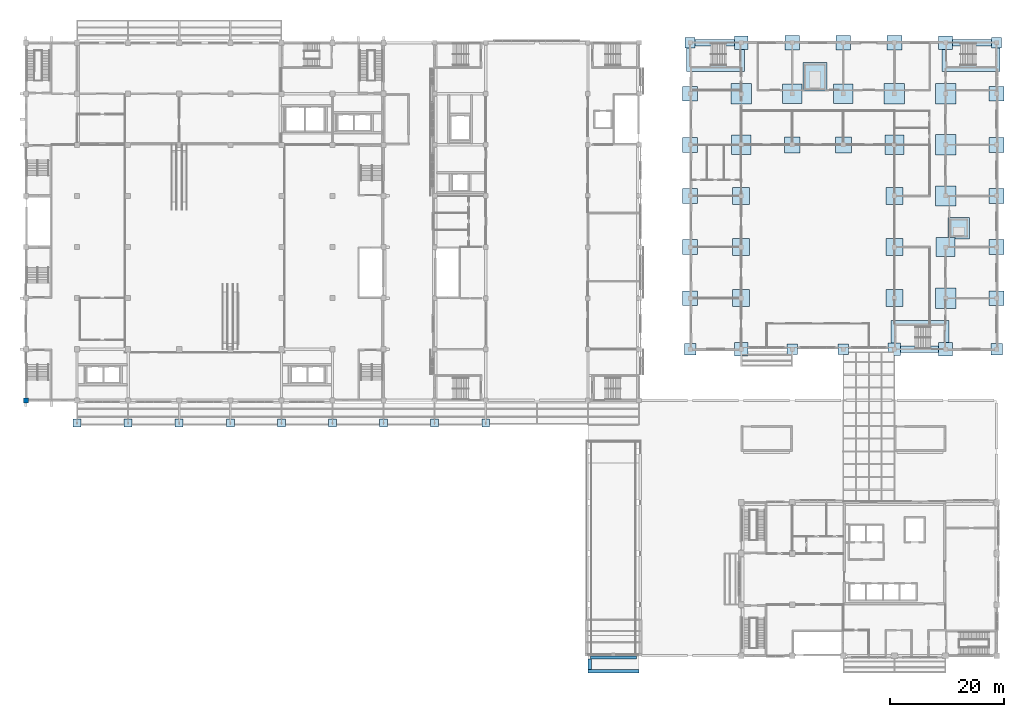
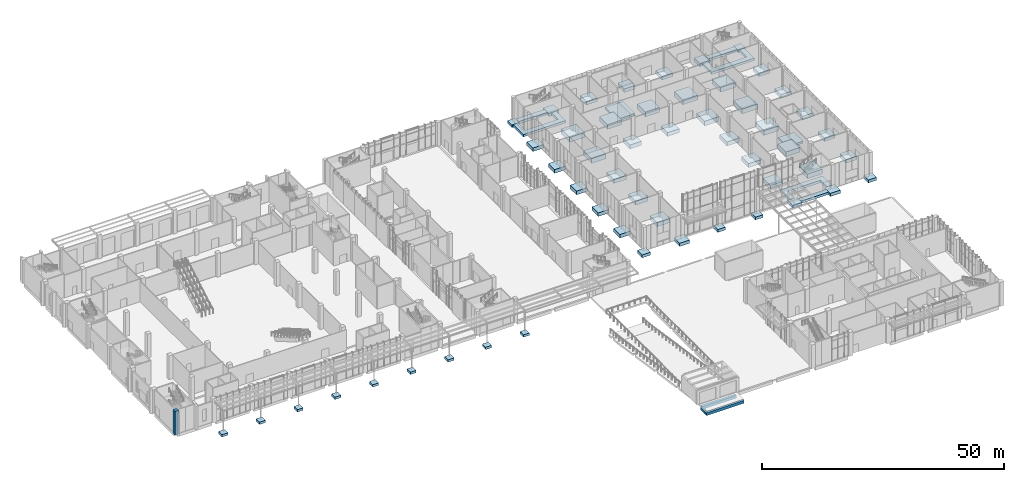
# One storey, part 1 of 86: 63 footings, 1 column.
"""IFC4 building model written with IfcOpenShell, lengths in metres."""

from ifc_helpers import new_model, si_unit, direction, frame, origin, origin_2d, place, context, subcontext, project, spatial, polyline, rectangle, outline, extrude, material, material_profile, profile_set, type_object, element, save


model = new_model("IFC4")

# Units and contexts
model_context = context("Model", 3, precision=1e-05, world=origin(), true_north=direction((0.0, 1.0)))
body_context = subcontext(model_context, "Body", "Model", "MODEL_VIEW")
ifc_project = project(units=[si_unit("LENGTHUNIT", "METRE"), si_unit("AREAUNIT", "SQUARE_METRE"), si_unit("VOLUMEUNIT", "CUBIC_METRE"), si_unit("PLANEANGLEUNIT", "RADIAN"), si_unit("MASSUNIT", "GRAM", prefix="KILO")], contexts=[model_context])

# Site, building, storey
site_placement = place(None, origin())
site = spatial("IfcSite", under=ifc_project, at=site_placement, CompositionType="ELEMENT")
building_placement = place(site_placement, origin())
building = spatial("IfcBuilding", under=site, at=building_placement, Name="Guidao Yard Department Store", CompositionType="ELEMENT")
storey_placement = place(building_placement, origin())
storey = spatial("IfcBuildingStorey", under=building, at=storey_placement, Name="L00", CompositionType="ELEMENT", Elevation=0.0)

# Footings
ifc_material_1 = material(Name="Concrete C40", Category="concrete")
footing_type_1 = type_object("IfcFootingType", Name="Pad footing 1400x1400x600 C40", PredefinedType="PAD_FOOTING", material=ifc_material_1)
for number, where, z_axis, x_axis, name in (
    (1, (9.0, 41.0, -0.900146484375), (0.0, 0.0, 1.0), (1.0, 0.0, 0.0), "Pad footing CP-EC-1"),
    (2, (18.0, 41.0, -0.900146484375), (0.0, 0.0, 1.0), (1.0, 0.0, 0.0), "Pad footing CP-EC-2"),
    (3, (27.0, 41.0, -0.900146484375), (0.0, 0.0, 1.0), (1.0, 0.0, 0.0), "Pad footing CP-EC-3"),
    (4, (36.0, 41.0, -0.900146484375), (0.0, 0.0, 1.0), (1.0, 0.0, 0.0), "Pad footing CP-EC-4"),
    (5, (45.0, 41.0, -0.900146484375), (0.0, 0.0, 1.0), (1.0, 0.0, 0.0), "Pad footing CP-EC-5"),
    (6, (54.0, 41.0, -0.900146484375), (0.0, 0.0, 1.0), (1.0, 0.0, 0.0), "Pad footing CP-EC-6"),
    (7, (63.0, 41.0, -0.900146484375), (0.0, 0.0, 1.0), (1.0, 0.0, 0.0), "Pad footing CP-EC-7"),
    (8, (72.0, 41.0, -0.900146484375), (0.0, 0.0, 1.0), (1.0, 0.0, 0.0), "Pad footing CP-EC-8"),
    (9, (81.0, 41.0, -0.900146484375), (0.0, 0.0, 1.0), (1.0, 0.0, 0.0), "Pad footing CP-EC-9"),
):
    element("IfcFooting", number, at=place(storey_placement, frame(where, z_axis=z_axis, x_axis=x_axis)), inside=storey, type_object=footing_type_1, Name=name, PredefinedType="PAD_FOOTING", context=body_context, shape_type="SweptSolid", body=[
        extrude(rectangle(XDim=1.39990234375, YDim=1.39990234375, at=origin_2d()), origin(), (0.0, 0.0, 1.0), 0.60009765625),
    ])
ifc_material_2 = material(Name="Concrete C40", Category="concrete")
footing_type_2 = type_object("IfcFootingType", Name="Pad footing 1800x1800x700 C40", PredefinedType="PAD_FOOTING", material=ifc_material_2)
for number, where, z_axis, x_axis, name in (
    (10, (135.0, 54.0, -1.0498046875), (0.0, 0.0, 1.0), (1.0, 0.0, 0.0), "Pad footing 16/G"),
    (11, (144.0, 54.0, -1.0498046875), (0.0, 0.0, 1.0), (1.0, 0.0, 0.0), "Pad footing 17/G"),
    (12, (117.0, 108.0, -1.0498046875), (0.0, 0.0, 1.0), (1.0, 0.0, 0.0), "Pad footing 14/N"),
    (13, (171.0, 108.0, -1.0498046875), (0.0, 0.0, 1.0), (1.0, 0.0, 0.0), "Pad footing 20/N"),
):
    element("IfcFooting", number, at=place(storey_placement, frame(where, z_axis=z_axis, x_axis=x_axis)), inside=storey, type_object=footing_type_2, Name=name, PredefinedType="PAD_FOOTING", context=body_context, shape_type="SweptSolid", body=[
        extrude(rectangle(XDim=1.800048828125, YDim=1.800048828125, at=origin_2d()), origin(), (0.0, 0.0, 1.0), 0.699951171875),
    ])
ifc_material_3 = material(Name="Concrete C40", Category="concrete")
footing_type_3 = type_object("IfcFootingType", Name="Pad footing 2000x2000x700 C40", PredefinedType="PAD_FOOTING", material=ifc_material_3)
for number, where, z_axis, x_axis, name in (
    (14, (117.0, 54.0, -1.0498046875), (0.0, 0.0, 1.0), (1.0, 0.0, 0.0), "Pad footing 14/G"),
    (15, (171.0, 54.0, -1.0498046875), (0.0, 0.0, 1.0), (1.0, 0.0, 0.0), "Pad footing 20/G"),
):
    element("IfcFooting", number, at=place(storey_placement, frame(where, z_axis=z_axis, x_axis=x_axis)), inside=storey, type_object=footing_type_3, Name=name, PredefinedType="PAD_FOOTING", context=body_context, shape_type="SweptSolid", body=[
        extrude(rectangle(XDim=2.0, YDim=2.0, at=origin_2d()), origin(), (0.0, 0.0, 1.0), 0.699951171875),
    ])
ifc_material_4 = material(Name="Concrete C40", Category="concrete")
footing_type_4 = type_object("IfcFootingType", Name="Pad footing 2200x2200x800 C40", PredefinedType="PAD_FOOTING", material=ifc_material_4)
footing_1_placement = place(storey_placement, frame((153.0, 54.0, -1.14990234375), z_axis=(0.0, 0.0, 1.0), x_axis=(1.0, 0.0, 0.0)))
element("IfcFooting", 16, at=footing_1_placement, inside=storey, type_object=footing_type_4, Name="Pad footing 18/G", PredefinedType="PAD_FOOTING", context=body_context, shape_type="SweptSolid", body=[
    extrude(rectangle(XDim=2.199951171875, YDim=2.199951171875, at=origin_2d()), origin(), (0.0, 0.0, 1.0), 0.800048828125),
])
ifc_material_5 = material(Name="Concrete C40", Category="concrete")
footing_type_5 = type_object("IfcFootingType", Name="Pad footing 2400x2400x800 C40", PredefinedType="PAD_FOOTING", material=ifc_material_5)
for number, where, z_axis, x_axis, name in (
    (17, (126.0, 54.0, -1.14990234375), (0.0, 0.0, 1.0), (1.0, 0.0, 0.0), "Pad footing 15/G"),
    (18, (162.0, 54.0, -1.14990234375), (0.0, 0.0, 1.0), (1.0, 0.0, 0.0), "Pad footing 19/G"),
    (19, (126.0, 108.0, -1.14990234375), (0.0, 0.0, 1.0), (1.0, 0.0, 0.0), "Pad footing 15/N"),
    (20, (162.0, 108.0, -1.14990234375), (0.0, 0.0, 1.0), (1.0, 0.0, 0.0), "Pad footing 19/N"),
):
    element("IfcFooting", number, at=place(storey_placement, frame(where, z_axis=z_axis, x_axis=x_axis)), inside=storey, type_object=footing_type_5, Name=name, PredefinedType="PAD_FOOTING", context=body_context, shape_type="SweptSolid", body=[
        extrude(rectangle(XDim=2.39990234375, YDim=2.39990234375, at=origin_2d()), origin(), (0.0, 0.0, 1.0), 0.800048828125),
    ])
ifc_material_6 = material(Name="Concrete C40", Category="concrete")
footing_type_6 = type_object("IfcFootingType", Name="Pad footing 2600x2600x900 C40", PredefinedType="PAD_FOOTING", material=ifc_material_6)
for number, where, z_axis, x_axis, name in (
    (21, (117.0, 63.0, -1.25), (0.0, 0.0, 1.0), (1.0, 0.0, 0.0), "Pad footing 14/H"),
    (22, (171.0, 63.0, -1.25), (0.0, 0.0, 1.0), (1.0, 0.0, 0.0), "Pad footing 20/H"),
    (23, (117.0, 72.0, -1.25), (0.0, 0.0, 1.0), (1.0, 0.0, 0.0), "Pad footing 14/J"),
    (24, (171.0, 72.0, -1.25), (0.0, 0.0, 1.0), (1.0, 0.0, 0.0), "Pad footing 20/J"),
    (25, (117.0, 81.0, -1.25), (0.0, 0.0, 1.0), (1.0, 0.0, 0.0), "Pad footing 14/K"),
    (26, (171.0, 81.0, -1.25), (0.0, 0.0, 1.0), (1.0, 0.0, 0.0), "Pad footing 20/K"),
    (27, (117.0, 90.0, -1.25), (0.0, 0.0, 1.0), (1.0, 0.0, 0.0), "Pad footing 14/L"),
    (28, (171.0, 90.0, -1.25), (0.0, 0.0, 1.0), (1.0, 0.0, 0.0), "Pad footing 20/L"),
    (29, (117.0, 99.0, -1.25), (0.0, 0.0, 1.0), (1.0, 0.0, 0.0), "Pad footing 14/M"),
    (30, (171.0, 99.0, -1.25), (0.0, 0.0, 1.0), (1.0, 0.0, 0.0), "Pad footing 20/M"),
    (31, (135.0, 108.0, -1.25), (0.0, 0.0, 1.0), (1.0, 0.0, 0.0), "Pad footing 16/N"),
    (32, (144.0, 108.0, -1.25), (0.0, 0.0, 1.0), (1.0, 0.0, 0.0), "Pad footing 17/N"),
    (33, (153.0, 108.0, -1.25), (0.0, 0.0, 1.0), (1.0, 0.0, 0.0), "Pad footing 18/N"),
):
    element("IfcFooting", number, at=place(storey_placement, frame(where, z_axis=z_axis, x_axis=x_axis)), inside=storey, type_object=footing_type_6, Name=name, PredefinedType="PAD_FOOTING", context=body_context, shape_type="SweptSolid", body=[
        extrude(rectangle(XDim=2.60009765625, YDim=2.60009765625, at=origin_2d()), origin(), (0.0, 0.0, 1.0), 0.89990234375),
    ])
ifc_material_7 = material(Name="Concrete C40", Category="concrete")
footing_type_7 = type_object("IfcFootingType", Name="Pad footing 2800x2800x1000 C40", PredefinedType="PAD_FOOTING", material=ifc_material_7)
for number, where, z_axis, x_axis, name in (
    (34, (135.0, 90.0, -1.35009765625), (0.0, 0.0, 1.0), (1.0, 0.0, 0.0), "Pad footing 16/L"),
    (35, (144.0, 90.0, -1.35009765625), (0.0, 0.0, 1.0), (1.0, 0.0, 0.0), "Pad footing 17/L"),
):
    element("IfcFooting", number, at=place(storey_placement, frame(where, z_axis=z_axis, x_axis=x_axis)), inside=storey, type_object=footing_type_7, Name=name, PredefinedType="PAD_FOOTING", context=body_context, shape_type="SweptSolid", body=[
        extrude(rectangle(XDim=2.800048828125, YDim=2.800048828125, at=origin_2d()), origin(), (0.0, 0.0, 1.0), 1.0),
    ])
ifc_material_8 = material(Name="Concrete C40", Category="concrete")
footing_type_8 = type_object("IfcFootingType", Name="Pad footing 3000x3000x1000 C40", PredefinedType="PAD_FOOTING", material=ifc_material_8)
for number, where, z_axis, x_axis, name in (
    (36, (126.0, 63.0, -1.35009765625), (0.0, 0.0, 1.0), (1.0, 0.0, 0.0), "Pad footing 15/H"),
    (37, (153.0, 63.0, -1.35009765625), (0.0, 0.0, 1.0), (1.0, 0.0, 0.0), "Pad footing 18/H"),
    (38, (126.0, 72.0, -1.35009765625), (0.0, 0.0, 1.0), (1.0, 0.0, 0.0), "Pad footing 15/J"),
    (39, (153.0, 72.0, -1.35009765625), (0.0, 0.0, 1.0), (1.0, 0.0, 0.0), "Pad footing 18/J"),
    (40, (126.0, 81.0, -1.35009765625), (0.0, 0.0, 1.0), (1.0, 0.0, 0.0), "Pad footing 15/K"),
    (41, (153.0, 81.0, -1.35009765625), (0.0, 0.0, 1.0), (1.0, 0.0, 0.0), "Pad footing 18/K"),
):
    element("IfcFooting", number, at=place(storey_placement, frame(where, z_axis=z_axis, x_axis=x_axis)), inside=storey, type_object=footing_type_8, Name=name, PredefinedType="PAD_FOOTING", context=body_context, shape_type="SweptSolid", body=[
        extrude(rectangle(XDim=3.0, YDim=3.0, at=origin_2d()), origin(), (0.0, 0.0, 1.0), 1.0),
    ])
ifc_material_9 = material(Name="Concrete C40", Category="concrete")
footing_type_9 = type_object("IfcFootingType", Name="Pad footing 3400x3400x1200 C40", PredefinedType="PAD_FOOTING", material=ifc_material_9)
for number, where, z_axis, x_axis, name in (
    (42, (162.0, 72.0, -1.5498046875), (0.0, 0.0, 1.0), (1.0, 0.0, 0.0), "Pad footing 19/J"),
    (43, (126.0, 90.0, -1.5498046875), (0.0, 0.0, 1.0), (1.0, 0.0, 0.0), "Pad footing 15/L"),
    (44, (153.0, 90.0, -1.5498046875), (0.0, 0.0, 1.0), (1.0, 0.0, 0.0), "Pad footing 18/L"),
    (45, (135.0, 99.0, -1.5498046875), (0.0, 0.0, 1.0), (1.0, 0.0, 0.0), "Pad footing 16/M"),
    (46, (144.0, 99.0, -1.5498046875), (0.0, 0.0, 1.0), (1.0, 0.0, 0.0), "Pad footing 17/M"),
):
    element("IfcFooting", number, at=place(storey_placement, frame(where, z_axis=z_axis, x_axis=x_axis)), inside=storey, type_object=footing_type_9, Name=name, PredefinedType="PAD_FOOTING", context=body_context, shape_type="SweptSolid", body=[
        extrude(rectangle(XDim=3.39990234375, YDim=3.39990234375, at=origin_2d()), origin(), (0.0, 0.0, 1.0), 1.199951171875),
    ])
ifc_material_10 = material(Name="Concrete C40", Category="concrete")
footing_type_10 = type_object("IfcFootingType", Name="Pad footing 3600x3600x1200 C40", PredefinedType="PAD_FOOTING", material=ifc_material_10)
for number, where, z_axis, x_axis, name in (
    (47, (162.0, 63.0, -1.5498046875), (0.0, 0.0, 1.0), (1.0, 0.0, 0.0), "Pad footing 19/H"),
    (48, (162.0, 81.0, -1.5498046875), (0.0, 0.0, 1.0), (1.0, 0.0, 0.0), "Pad footing 19/K"),
    (49, (162.0, 90.0, -1.5498046875), (0.0, 0.0, 1.0), (1.0, 0.0, 0.0), "Pad footing 19/L"),
    (50, (126.0, 99.0, -1.5498046875), (0.0, 0.0, 1.0), (1.0, 0.0, 0.0), "Pad footing 15/M"),
    (51, (153.0, 99.0, -1.5498046875), (0.0, 0.0, 1.0), (1.0, 0.0, 0.0), "Pad footing 18/M"),
    (52, (162.0, 99.0, -1.5498046875), (0.0, 0.0, 1.0), (1.0, 0.0, 0.0), "Pad footing 19/M"),
):
    element("IfcFooting", number, at=place(storey_placement, frame(where, z_axis=z_axis, x_axis=x_axis)), inside=storey, type_object=footing_type_10, Name=name, PredefinedType="PAD_FOOTING", context=body_context, shape_type="SweptSolid", body=[
        extrude(rectangle(XDim=3.60009765625, YDim=3.60009765625, at=origin_2d()), origin(), (0.0, 0.0, 1.0), 1.199951171875),
    ])
ifc_material_11 = material(Name="Concrete C40", Category="concrete")
footing_type_11 = type_object("IfcFootingType", Name="Pit footing 500 C40", PredefinedType="PAD_FOOTING", material=ifc_material_11)
footing_2_placement = place(storey_placement, frame((0.0, 0.0, -2.10009765625)))
element("IfcFooting", 53, at=footing_2_placement, inside=storey, type_object=footing_type_11, Name="Lift pit footing FG1", PredefinedType="PAD_FOOTING", context=body_context, shape_type="SweptSolid", body=[
    extrude(outline(polyline([(136.85009765625, 99.449951171875), (141.14990234375, 99.449951171875), (141.14990234375, 104.550048828125), (136.85009765625, 104.550048828125), (136.85009765625, 99.449951171875)])), origin(), (0.0, 0.0, 1.0), 0.5),
])
footing_3_placement = place(storey_placement, frame((0.0, 0.0, -2.10009765625)))
element("IfcFooting", 54, at=footing_3_placement, inside=storey, type_object=footing_type_11, Name="Lift pit footing FL1", PredefinedType="PAD_FOOTING", context=body_context, shape_type="SweptSolid", body=[
    extrude(outline(polyline([(162.449951171875, 73.449951171875), (166.25, 73.449951171875), (166.25, 77.25), (162.449951171875, 77.25), (162.449951171875, 73.449951171875)])), origin(), (0.0, 0.0, 1.0), 0.5),
])
ifc_material_12 = material(Name="Concrete C40", Category="concrete")
footing_type_12 = type_object("IfcFootingType", Name="Strip footing 1200x600 C40", PredefinedType="STRIP_FOOTING", material=ifc_material_12)
footing_4_placement = place(storey_placement, frame((0.0, 0.0, -0.949951171875)))
element("IfcFooting", 55, at=footing_4_placement, inside=storey, type_object=footing_type_12, Name="Strip footing SG01", PredefinedType="STRIP_FOOTING", context=body_context, shape_type="SweptSolid", body=[
    extrude(outline(polyline([(154.10009765625, 53.39990234375), (160.800048828125, 53.39990234375), (160.800048828125, 54.60009765625), (154.10009765625, 54.60009765625), (154.10009765625, 53.39990234375)])), origin(), (0.0, 0.0, 1.0), 0.599853515625),
])
footing_5_placement = place(storey_placement, frame((0.0, 0.0, -0.949951171875)))
element("IfcFooting", 56, at=footing_5_placement, inside=storey, type_object=footing_type_12, Name="Strip footing SG02", PredefinedType="STRIP_FOOTING", context=body_context, shape_type="SweptSolid", body=[
    extrude(outline(polyline([(162.60009765625, 59.10009765625), (152.39990234375, 59.10009765625), (152.39990234375, 55.10009765625), (153.60009765625, 55.10009765625), (153.60009765625, 57.89990234375), (161.39990234375, 57.89990234375), (161.39990234375, 55.199951171875), (162.60009765625, 55.199951171875), (162.60009765625, 59.10009765625)])), origin(), (0.0, 0.0, 1.0), 0.599853515625),
])
footing_6_placement = place(storey_placement, frame((0.0, 0.0, -0.949951171875)))
element("IfcFooting", 57, at=footing_6_placement, inside=storey, type_object=footing_type_12, Name="Strip footing SG03", PredefinedType="STRIP_FOOTING", context=body_context, shape_type="SweptSolid", body=[
    extrude(outline(polyline([(126.60009765625, 102.89990234375), (126.60009765625, 106.800048828125), (125.39990234375, 106.800048828125), (125.39990234375, 104.10009765625), (117.60009765625, 104.10009765625), (117.60009765625, 107.10009765625), (116.39990234375, 107.10009765625), (116.39990234375, 102.89990234375), (126.60009765625, 102.89990234375)])), origin(), (0.0, 0.0, 1.0), 0.599853515625),
])
footing_7_placement = place(storey_placement, frame((0.0, 0.0, -0.949951171875)))
element("IfcFooting", 58, at=footing_7_placement, inside=storey, type_object=footing_type_12, Name="Strip footing SG04", PredefinedType="STRIP_FOOTING", context=body_context, shape_type="SweptSolid", body=[
    extrude(outline(polyline([(171.60009765625, 102.89990234375), (171.60009765625, 107.10009765625), (170.39990234375, 107.10009765625), (170.39990234375, 104.10009765625), (162.60009765625, 104.10009765625), (162.60009765625, 106.800048828125), (161.39990234375, 106.800048828125), (161.39990234375, 102.89990234375), (171.60009765625, 102.89990234375)])), origin(), (0.0, 0.0, 1.0), 0.599853515625),
])
footing_8_placement = place(storey_placement, frame((0.0, 0.0, -0.949951171875)))
element("IfcFooting", 59, at=footing_8_placement, inside=storey, type_object=footing_type_12, Name="Strip footing SG05", PredefinedType="STRIP_FOOTING", context=body_context, shape_type="SweptSolid", body=[
    extrude(outline(polyline([(124.800048828125, 108.60009765625), (117.89990234375, 108.60009765625), (117.89990234375, 107.39990234375), (124.800048828125, 107.39990234375), (124.800048828125, 108.60009765625)])), origin(), (0.0, 0.0, 1.0), 0.599853515625),
])
footing_9_placement = place(storey_placement, frame((0.0, 0.0, -0.949951171875)))
element("IfcFooting", 60, at=footing_9_placement, inside=storey, type_object=footing_type_12, Name="Strip footing SG06", PredefinedType="STRIP_FOOTING", context=body_context, shape_type="SweptSolid", body=[
    extrude(outline(polyline([(170.10009765625, 108.60009765625), (163.199951171875, 108.60009765625), (163.199951171875, 107.39990234375), (170.10009765625, 107.39990234375), (170.10009765625, 108.60009765625)])), origin(), (0.0, 0.0, 1.0), 0.599853515625),
])
ifc_material_13 = material(Name="Concrete C30", Category="concrete")
footing_type_13 = type_object("IfcFootingType", Name="Strip footing RC 600 x 700 C30", PredefinedType="STRIP_FOOTING", material=ifc_material_13)
footing_10_placement = place(storey_placement, frame((0.0, 0.0, -1.0)))
element("IfcFooting", 61, at=footing_10_placement, inside=storey, type_object=footing_type_13, Name="Ramp A apron footing 1", PredefinedType="STRIP_FOOTING", context=body_context, shape_type="SweptSolid", body=[
    extrude(outline(polyline([(99.0, -3.0), (108.0, -3.0), (108.0, -2.39990234375), (99.0, -2.39990234375), (99.0, -3.0)])), origin(), (0.0, 0.0, 1.0), 0.699951171875),
])
footing_11_placement = place(storey_placement, frame((0.0, 0.0, -1.0)))
element("IfcFooting", 62, at=footing_11_placement, inside=storey, type_object=footing_type_13, Name="Ramp A apron footing 2", PredefinedType="STRIP_FOOTING", context=body_context, shape_type="SweptSolid", body=[
    extrude(outline(polyline([(99.449951171875, -0.60009765625), (107.550048828125, -0.60009765625), (107.550048828125, 0.0), (99.449951171875, 0.0), (99.449951171875, -0.60009765625)])), origin(), (0.0, 0.0, 1.0), 0.699951171875),
])
footing_12_placement = place(storey_placement, frame((0.0, 0.0, -1.0)))
element("IfcFooting", 63, at=footing_12_placement, inside=storey, type_object=footing_type_13, Name="Ramp A apron footing 3", PredefinedType="STRIP_FOOTING", context=body_context, shape_type="SweptSolid", body=[
    extrude(outline(polyline([(99.0, -2.39990234375), (99.60009765625, -2.39990234375), (99.60009765625, -0.60009765625), (99.0, -0.60009765625), (99.0, -2.39990234375)])), origin(), (0.0, 0.0, 1.0), 0.699951171875),
])

# Column
ifc_material_14 = material(Name="Concrete C50", Category="concrete")
ifc_material_profile = material_profile(ifc_material_14, rectangle(XDim=0.89990234375, YDim=0.89990234375, at=origin_2d()), Name="COL 900x900")
ifc_profile_set = profile_set([ifc_material_profile], Name="Concrete C50")
column_type = type_object("IfcColumnType", Name="Column 900x900 C50", PredefinedType="COLUMN", material=ifc_profile_set)
column_placement = place(storey_placement, frame((0.0, 45.0, 0.0), z_axis=(0.0, 0.0, 1.0), x_axis=(1.0, 0.0, 0.0)))
element("IfcColumn", 64, at=column_placement, inside=storey, type_object=column_type, Name="Column 1/F L00", PredefinedType="COLUMN", context=body_context, shape_type="SweptSolid", body=[
    extrude(rectangle(XDim=0.89990234375, YDim=0.89990234375, at=origin_2d()), origin(), (0.0, 0.0, 1.0), 6.0),
])

save(model, "model.ifc")
